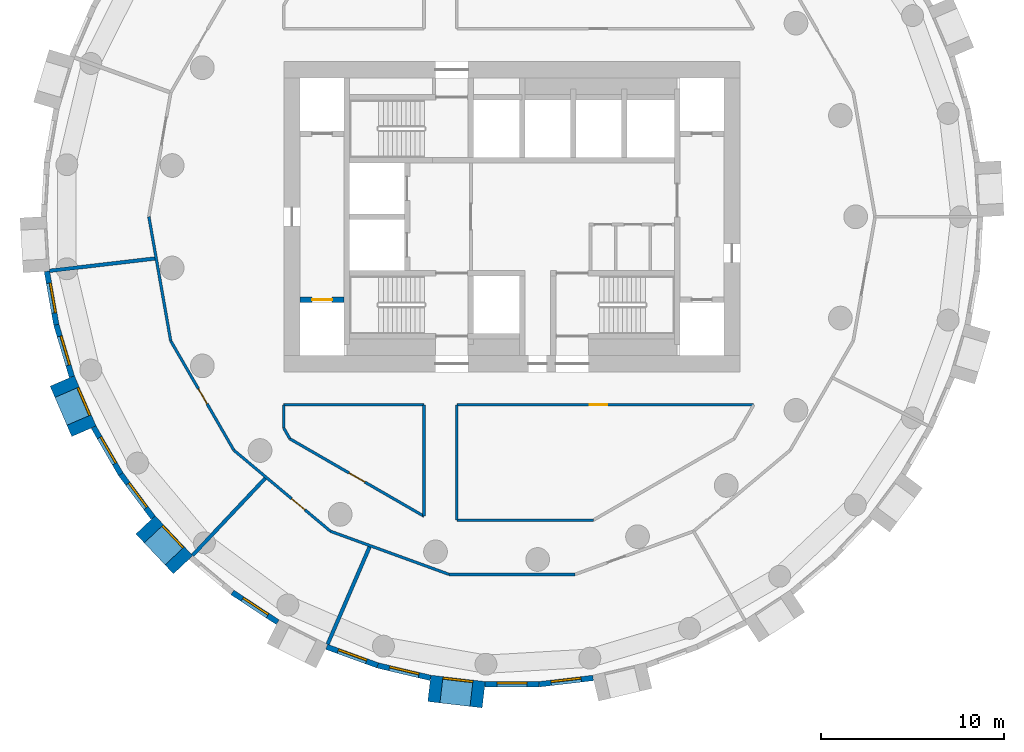
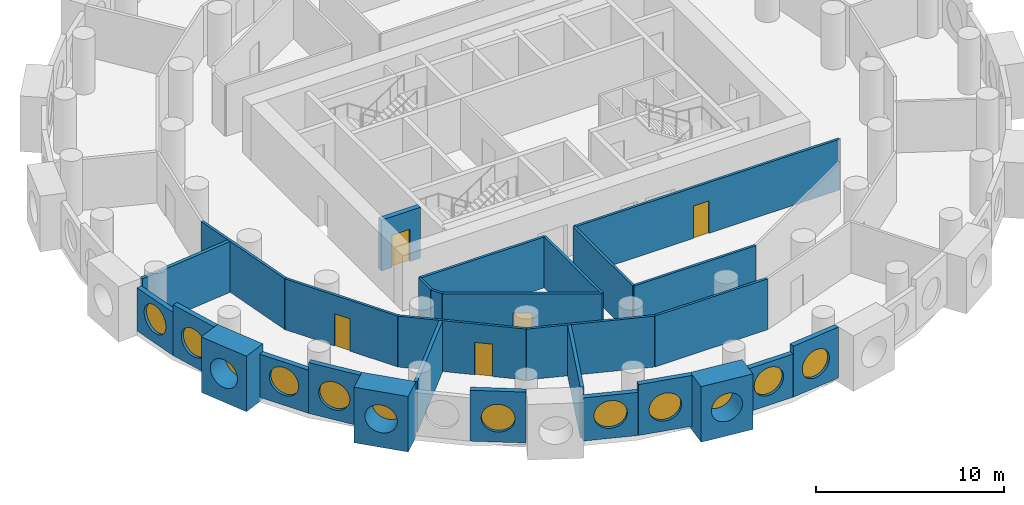
# One storey, part 2 of 9: 29 walls, 12 windows, 5 doors, 17 openings.
"""IFC4 building model written with IfcOpenShell, lengths in metres."""

from ifc_helpers import new_model, si_unit, direction, frame, frame_2d, origin, origin_2d, place, context, subcontext, project, spatial, rectangle, circle, extrude, material, layer, layer_set, type_object, element, fill, save


model = new_model("IFC4")

# Units and contexts
model_context = context("Model", 3, precision=1e-05, world=origin(), true_north=direction((0.0, 1.0)))
body_context = subcontext(model_context, "Body", "Model", "MODEL_VIEW")
ifc_project = project(units=[si_unit("LENGTHUNIT", "METRE"), si_unit("AREAUNIT", "SQUARE_METRE"), si_unit("VOLUMEUNIT", "CUBIC_METRE"), si_unit("PLANEANGLEUNIT", "RADIAN"), si_unit("MASSUNIT", "GRAM", prefix="KILO")], contexts=[model_context])

# Site, building, storey
site_placement = place(None, origin())
site = spatial("IfcSite", under=ifc_project, at=site_placement, CompositionType="ELEMENT")
building_placement = place(site_placement, origin())
building = spatial("IfcBuilding", under=site, at=building_placement, Name="Tracery Tower", CompositionType="ELEMENT")
storey_placement = place(building_placement, frame((0.0, 0.0, 154.800048828125)))
storey = spatial("IfcBuildingStorey", under=building, at=storey_placement, Name="L39", CompositionType="ELEMENT", Elevation=154.800048828125)

# Wall, opening, window
ifc_material_1 = material(Name="Precast concrete C50/60", Category="concrete")
ifc_layer_1 = layer(ifc_material_1, 1.449951171875)
ifc_layer_set_1 = layer_set([ifc_layer_1], Name="Deep-set bay unit 3000 x 3600, slab edge 300")
wall_type_1 = type_object("IfcWallType", Name="Deep-set bay unit 3000 x 3600, slab edge 300", PredefinedType="ELEMENTEDWALL", material=ifc_layer_set_1)
wall_1_placement = place(storey_placement, frame((-24.632080078125, -8.99169921875, -0.300048828125), z_axis=(0.0, 0.0, 1.0), x_axis=(0.396079003245, -0.918216435917, 0.0)))
wall_1 = element("IfcWall", 1, at=wall_1_placement, inside=storey, type_object=wall_type_1, Name="Deep-set bay unit 31 at L39", PredefinedType="ELEMENTEDWALL", context=body_context, shape_type="SweptSolid", body=[
    extrude(rectangle(XDim=3.0, YDim=1.449951171875, at=frame_2d((1.5, 0.0))), origin(), (0.0, 0.0, 1.0), 3.60009765625),
])
opening_1_placement = place(wall_1_placement, frame((1.5, 0.0, 1.85009765625)))
opening_1 = element("IfcOpeningElement", 2, at=opening_1_placement, cuts=wall_1, Name="Opening WN1", PredefinedType="OPENING", context=body_context, shape_type="SweptSolid", body=[
    extrude(circle(Radius=0.9000244140625, at=origin_2d()), frame((0.0, 0.73486328125, 0.0), z_axis=(0.0, -1.0, 0.0), x_axis=(1.0, 0.0, 0.0)), (0.0, 0.0, 1.0), 1.469970703125),
])
ifc_material_2 = material(Name="Aluminium frame with tinted double glazing", Category="aluminium")
window_type = type_object("IfcWindowType", Name="Round window 1800", PartitioningType="SINGLE_PANEL", PredefinedType="WINDOW", material=ifc_material_2)
window_1_placement = place(opening_1_placement, origin())
window_1 = element("IfcWindow", 3, at=window_1_placement, inside=storey, type_object=window_type, Name="Round window 31 at L39", OverallHeight=1.800048828125, OverallWidth=1.800048828125, PartitioningType="SINGLE_PANEL", PredefinedType="WINDOW", context=body_context, shape_type="SweptSolid", body=[
    extrude(circle(Radius=0.9000244140625, at=origin_2d()), frame((0.0, 0.69482421875, 0.0), z_axis=(0.0, -1.0, 0.0), x_axis=(1.0, 0.0, 0.0)), (0.0, 0.0, 1.0), 0.10009765625),
])
fill(opening_1, window_1)

wall_2_placement = place(storey_placement, frame((-20.0712890625, -16.8740234375, -0.300048828125), z_axis=(0.0, 0.0, 1.0), x_axis=(0.686217177108, -0.727396718334, 0.0)))
wall_2 = element("IfcWall", 4, at=wall_2_placement, inside=storey, type_object=wall_type_1, Name="Deep-set bay unit 34 at L39", PredefinedType="ELEMENTEDWALL", context=body_context, shape_type="SweptSolid", body=[
    extrude(rectangle(XDim=3.0, YDim=1.449951171875, at=frame_2d((1.5, 0.0))), origin(), (0.0, 0.0, 1.0), 3.60009765625),
])
opening_2_placement = place(wall_2_placement, frame((1.5, 0.0, 1.85009765625)))
opening_2 = element("IfcOpeningElement", 5, at=opening_2_placement, cuts=wall_2, Name="Opening WN1", PredefinedType="OPENING", context=body_context, shape_type="SweptSolid", body=[
    extrude(circle(Radius=0.9000244140625, at=origin_2d()), frame((0.0, 0.73486328125, 0.0), z_axis=(0.0, -1.0, 0.0), x_axis=(1.0, 0.0, 0.0)), (0.0, 0.0, 1.0), 1.469970703125),
])
window_2_placement = place(opening_2_placement, origin())
window_2 = element("IfcWindow", 6, at=window_2_placement, inside=storey, type_object=window_type, Name="Round window 34 at L39", OverallHeight=1.800048828125, OverallWidth=1.800048828125, PartitioningType="SINGLE_PANEL", PredefinedType="WINDOW", context=body_context, shape_type="SweptSolid", body=[
    extrude(circle(Radius=0.9000244140625, at=origin_2d()), frame((0.0, 0.69482421875, 0.0), z_axis=(0.0, -1.0, 0.0), x_axis=(1.0, 0.0, 0.0)), (0.0, 0.0, 1.0), 0.10009765625),
])
fill(opening_2, window_2)

wall_3_placement = place(storey_placement, frame((-4.529052734375, -25.827880859375, -0.300048828125), z_axis=(0.0, 0.0, 1.0), x_axis=(0.9932342274, -0.116128246006, 0.0)))
wall_3 = element("IfcWall", 7, at=wall_3_placement, inside=storey, type_object=wall_type_1, Name="Deep-set bay unit 40 at L39", PredefinedType="ELEMENTEDWALL", context=body_context, shape_type="SweptSolid", body=[
    extrude(rectangle(XDim=3.0, YDim=1.449951171875, at=frame_2d((1.5, 0.0))), origin(), (0.0, 0.0, 1.0), 3.60009765625),
])
opening_3_placement = place(wall_3_placement, frame((1.5, 0.0, 1.85009765625)))
opening_3 = element("IfcOpeningElement", 8, at=opening_3_placement, cuts=wall_3, Name="Opening WN1", PredefinedType="OPENING", context=body_context, shape_type="SweptSolid", body=[
    extrude(circle(Radius=0.9000244140625, at=origin_2d()), frame((0.0, 0.73486328125, 0.0), z_axis=(0.0, -1.0, 0.0), x_axis=(1.0, 0.0, 0.0)), (0.0, 0.0, 1.0), 1.469970703125),
])
window_3_placement = place(opening_3_placement, origin())
window_3 = element("IfcWindow", 9, at=window_3_placement, inside=storey, type_object=window_type, Name="Round window 40 at L39", OverallHeight=1.800048828125, OverallWidth=1.800048828125, PartitioningType="SINGLE_PANEL", PredefinedType="WINDOW", context=body_context, shape_type="SweptSolid", body=[
    extrude(circle(Radius=0.9000244140625, at=origin_2d()), frame((0.0, 0.69482421875, 0.0), z_axis=(0.0, -1.0, 0.0), x_axis=(1.0, 0.0, 0.0)), (0.0, 0.0, 1.0), 0.10009765625),
])
fill(opening_3, window_3)

ifc_material_3 = material(Name="Precast concrete C50/60", Category="concrete")
ifc_layer_2 = layer(ifc_material_3, 0.300048828125)
ifc_layer_set_2 = layer_set([ifc_layer_2], Name="Facade panel 3000 x 2800")
wall_type_2 = type_object("IfcWallType", Name="Facade panel 3000 x 2800", PredefinedType="SOLIDWALL", material=ifc_layer_set_2)
wall_4_placement = place(storey_placement, frame((-25.472412109375, -2.987060546875, 0.0), z_axis=(0.0, 0.0, 1.0), x_axis=(0.173686952598, -0.984800915159, 0.0)))
wall_4 = element("IfcWall", 10, at=wall_4_placement, inside=storey, type_object=wall_type_2, Name="Facade panel 29 at L39", PredefinedType="SOLIDWALL", context=body_context, shape_type="SweptSolid", body=[
    extrude(rectangle(XDim=2.972900390625, YDim=0.300048828125, at=frame_2d((1.486328125, 0.0))), origin(), (0.0, 0.0, 1.0), 2.800048828125),
])
opening_4_placement = place(wall_4_placement, frame((1.486328125, 0.0, 1.5498046875)))
opening_4 = element("IfcOpeningElement", 11, at=opening_4_placement, cuts=wall_4, Name="Opening WN1", PredefinedType="OPENING", context=body_context, shape_type="SweptSolid", body=[
    extrude(circle(Radius=0.9000244140625, at=origin_2d()), frame((0.0, 0.159912109375, 0.0), z_axis=(0.0, -1.0, 0.0), x_axis=(1.0, 0.0, 0.0)), (0.0, 0.0, 1.0), 0.320068359375),
])
window_4_placement = place(opening_4_placement, origin())
window_4 = element("IfcWindow", 12, at=window_4_placement, inside=storey, type_object=window_type, Name="Round window 29 at L39", OverallHeight=1.800048828125, OverallWidth=1.800048828125, PartitioningType="SINGLE_PANEL", PredefinedType="WINDOW", context=body_context, shape_type="SweptSolid", body=[
    extrude(circle(Radius=0.9000244140625, at=origin_2d()), frame((0.0, 0.1201171875, 0.0), z_axis=(0.0, -1.0, 0.0), x_axis=(1.0, 0.0, 0.0)), (0.0, 0.0, 1.0), 0.10009765625),
])
fill(opening_4, window_4)

wall_5_placement = place(storey_placement, frame((-22.91455078125, -11.518798828125, 0.0), z_axis=(0.0, 0.0, 1.0), x_axis=(0.499954672104, -0.866051572276, 0.0)))
wall_5 = element("IfcWall", 13, at=wall_5_placement, inside=storey, type_object=wall_type_2, Name="Facade panel 32 at L39", PredefinedType="SOLIDWALL", context=body_context, shape_type="SweptSolid", body=[
    extrude(rectangle(XDim=2.972900390625, YDim=0.300048828125, at=frame_2d((1.486328125, 0.0))), origin(), (0.0, 0.0, 1.0), 2.800048828125),
])
opening_5_placement = place(wall_5_placement, frame((1.486328125, 0.0, 1.5498046875)))
opening_5 = element("IfcOpeningElement", 14, at=opening_5_placement, cuts=wall_5, Name="Opening WN1", PredefinedType="OPENING", context=body_context, shape_type="SweptSolid", body=[
    extrude(circle(Radius=0.9000244140625, at=origin_2d()), frame((0.0, 0.159912109375, 0.0), z_axis=(0.0, -1.0, 0.0), x_axis=(1.0, 0.0, 0.0)), (0.0, 0.0, 1.0), 0.320068359375),
])
window_5_placement = place(opening_5_placement, origin())
window_5 = element("IfcWindow", 15, at=window_5_placement, inside=storey, type_object=window_type, Name="Round window 32 at L39", OverallHeight=1.800048828125, OverallWidth=1.800048828125, PartitioningType="SINGLE_PANEL", PredefinedType="WINDOW", context=body_context, shape_type="SweptSolid", body=[
    extrude(circle(Radius=0.9000244140625, at=origin_2d()), frame((0.0, 0.1201171875, 0.0), z_axis=(0.0, -1.0, 0.0), x_axis=(1.0, 0.0, 0.0)), (0.0, 0.0, 1.0), 0.10009765625),
])
fill(opening_5, window_5)

wall_6_placement = place(storey_placement, frame((-10.1494140625, -23.55322265625, 0.0), z_axis=(0.0, 0.0, 1.0), x_axis=(0.939690282133, -0.342026568652, 0.0)))
wall_6 = element("IfcWall", 16, at=wall_6_placement, inside=storey, type_object=wall_type_2, Name="Facade panel 38 at L39", PredefinedType="SOLIDWALL", context=body_context, shape_type="SweptSolid", body=[
    extrude(rectangle(XDim=2.972900390625, YDim=0.300048828125, at=frame_2d((1.486328125, 0.0))), origin(), (0.0, 0.0, 1.0), 2.800048828125),
])
opening_6_placement = place(wall_6_placement, frame((1.486328125, 0.0, 1.5498046875)))
opening_6 = element("IfcOpeningElement", 17, at=opening_6_placement, cuts=wall_6, Name="Opening WN1", PredefinedType="OPENING", context=body_context, shape_type="SweptSolid", body=[
    extrude(circle(Radius=0.9000244140625, at=origin_2d()), frame((0.0, 0.159912109375, 0.0), z_axis=(0.0, -1.0, 0.0), x_axis=(1.0, 0.0, 0.0)), (0.0, 0.0, 1.0), 0.320068359375),
])
window_6_placement = place(opening_6_placement, origin())
window_6 = element("IfcWindow", 18, at=window_6_placement, inside=storey, type_object=window_type, Name="Round window 38 at L39", OverallHeight=1.800048828125, OverallWidth=1.800048828125, PartitioningType="SINGLE_PANEL", PredefinedType="WINDOW", context=body_context, shape_type="SweptSolid", body=[
    extrude(circle(Radius=0.9000244140625, at=origin_2d()), frame((0.0, 0.1201171875, 0.0), z_axis=(0.0, -1.0, 0.0), x_axis=(1.0, 0.0, 0.0)), (0.0, 0.0, 1.0), 0.10009765625),
])
fill(opening_6, window_6)

wall_7_placement = place(storey_placement, frame((-1.481689453125, -25.60400390625, 0.0), z_axis=(0.0, 0.0, 1.0), x_axis=(1.0, 0.0, 0.0)))
wall_7 = element("IfcWall", 19, at=wall_7_placement, inside=storey, type_object=wall_type_2, Name="Facade panel 41 at L39", PredefinedType="SOLIDWALL", context=body_context, shape_type="SweptSolid", body=[
    extrude(rectangle(XDim=2.972900390625, YDim=0.300048828125, at=frame_2d((1.486328125, 0.0))), origin(), (0.0, 0.0, 1.0), 2.800048828125),
])
opening_7_placement = place(wall_7_placement, frame((1.486328125, 0.0, 1.5498046875)))
opening_7 = element("IfcOpeningElement", 20, at=opening_7_placement, cuts=wall_7, Name="Opening WN1", PredefinedType="OPENING", context=body_context, shape_type="SweptSolid", body=[
    extrude(circle(Radius=0.9000244140625, at=origin_2d()), frame((0.0, 0.159912109375, 0.0), z_axis=(0.0, -1.0, 0.0), x_axis=(1.0, 0.0, 0.0)), (0.0, 0.0, 1.0), 0.320068359375),
])
window_7_placement = place(opening_7_placement, origin())
window_7 = element("IfcWindow", 21, at=window_7_placement, inside=storey, type_object=window_type, Name="Round window 41 at L39", OverallHeight=1.800048828125, OverallWidth=1.800048828125, PartitioningType="SINGLE_PANEL", PredefinedType="WINDOW", context=body_context, shape_type="SweptSolid", body=[
    extrude(circle(Radius=0.9000244140625, at=origin_2d()), frame((0.0, 0.1201171875, 0.0), z_axis=(0.0, -1.0, 0.0), x_axis=(1.0, 0.0, 0.0)), (0.0, 0.0, 1.0), 0.10009765625),
])
fill(opening_7, window_7)

ifc_material_4 = material(Name="Precast concrete C50/60", Category="concrete")
ifc_layer_3 = layer(ifc_material_4, 0.300048828125)
ifc_layer_set_3 = layer_set([ifc_layer_3], Name="Facade panel 3000 x 3300")
wall_type_3 = type_object("IfcWallType", Name="Facade panel 3000 x 3300", PredefinedType="SOLIDWALL", material=ifc_layer_set_3)
wall_8_placement = place(storey_placement, frame((-24.9560546875, -5.914794921875, 0.0), z_axis=(0.0, 0.0, 1.0), x_axis=(0.286782750849, -0.957995643944, 0.0)))
wall_8 = element("IfcWall", 22, at=wall_8_placement, inside=storey, type_object=wall_type_3, Name="Facade panel 30 at L39", PredefinedType="SOLIDWALL", context=body_context, shape_type="SweptSolid", body=[
    extrude(rectangle(XDim=2.97265625, YDim=0.300048828125, at=frame_2d((1.486328125, 0.0))), origin(), (0.0, 0.0, 1.0), 3.300048828125),
])
opening_8_placement = place(wall_8_placement, frame((1.486328125, 0.0, 1.5498046875)))
opening_8 = element("IfcOpeningElement", 23, at=opening_8_placement, cuts=wall_8, Name="Opening WN1", PredefinedType="OPENING", context=body_context, shape_type="SweptSolid", body=[
    extrude(circle(Radius=0.9000244140625, at=origin_2d()), frame((0.0, 0.159912109375, 0.0), z_axis=(0.0, -1.0, 0.0), x_axis=(1.0, 0.0, 0.0)), (0.0, 0.0, 1.0), 0.320068359375),
])
window_8_placement = place(opening_8_placement, origin())
window_8 = element("IfcWindow", 24, at=window_8_placement, inside=storey, type_object=window_type, Name="Round window 30 at L39", OverallHeight=1.800048828125, OverallWidth=1.800048828125, PartitioningType="SINGLE_PANEL", PredefinedType="WINDOW", context=body_context, shape_type="SweptSolid", body=[
    extrude(circle(Radius=0.9000244140625, at=origin_2d()), frame((0.0, 0.1201171875, 0.0), z_axis=(0.0, -1.0, 0.0), x_axis=(1.0, 0.0, 0.0)), (0.0, 0.0, 1.0), 0.10009765625),
])
fill(opening_8, window_8)

wall_9_placement = place(storey_placement, frame((-21.42822265625, -14.093505859375, 0.0), z_axis=(0.0, 0.0, 1.0), x_axis=(0.597197580538, -0.80209416517, 0.0)))
wall_9 = element("IfcWall", 25, at=wall_9_placement, inside=storey, type_object=wall_type_3, Name="Facade panel 33 at L39", PredefinedType="SOLIDWALL", context=body_context, shape_type="SweptSolid", body=[
    extrude(rectangle(XDim=2.972900390625, YDim=0.300048828125, at=frame_2d((1.486328125, 0.0))), origin(), (0.0, 0.0, 1.0), 3.300048828125),
])
opening_9_placement = place(wall_9_placement, frame((1.486328125, 0.0, 1.5498046875)))
opening_9 = element("IfcOpeningElement", 26, at=opening_9_placement, cuts=wall_9, Name="Opening WN1", PredefinedType="OPENING", context=body_context, shape_type="SweptSolid", body=[
    extrude(circle(Radius=0.9000244140625, at=origin_2d()), frame((0.0, 0.159912109375, 0.0), z_axis=(0.0, -1.0, 0.0), x_axis=(1.0, 0.0, 0.0)), (0.0, 0.0, 1.0), 0.320068359375),
])
window_9_placement = place(opening_9_placement, origin())
window_9 = element("IfcWindow", 27, at=window_9_placement, inside=storey, type_object=window_type, Name="Round window 33 at L39", OverallHeight=1.800048828125, OverallWidth=1.800048828125, PartitioningType="SINGLE_PANEL", PredefinedType="WINDOW", context=body_context, shape_type="SweptSolid", body=[
    extrude(circle(Radius=0.9000244140625, at=origin_2d()), frame((0.0, 0.1201171875, 0.0), z_axis=(0.0, -1.0, 0.0), x_axis=(1.0, 0.0, 0.0)), (0.0, 0.0, 1.0), 0.10009765625),
])
fill(opening_9, window_9)

wall_10_placement = place(storey_placement, frame((-15.315673828125, -20.572509765625, 0.0), z_axis=(0.0, 0.0, 1.0), x_axis=(0.835508361394, -0.54947773207, 0.0)))
wall_10 = element("IfcWall", 28, at=wall_10_placement, inside=storey, type_object=wall_type_3, Name="Facade panel 36 at L39", PredefinedType="SOLIDWALL", context=body_context, shape_type="SweptSolid", body=[
    extrude(rectangle(XDim=2.972900390625, YDim=0.300048828125, at=frame_2d((1.486328125, 0.0))), origin(), (0.0, 0.0, 1.0), 3.300048828125),
])
opening_10_placement = place(wall_10_placement, frame((1.486328125, 0.0, 1.5498046875)))
opening_10 = element("IfcOpeningElement", 29, at=opening_10_placement, cuts=wall_10, Name="Opening WN1", PredefinedType="OPENING", context=body_context, shape_type="SweptSolid", body=[
    extrude(circle(Radius=0.9000244140625, at=origin_2d()), frame((0.0, 0.159912109375, 0.0), z_axis=(0.0, -1.0, 0.0), x_axis=(1.0, 0.0, 0.0)), (0.0, 0.0, 1.0), 0.320068359375),
])
window_10_placement = place(opening_10_placement, origin())
window_10 = element("IfcWindow", 30, at=window_10_placement, inside=storey, type_object=window_type, Name="Round window 36 at L39", OverallHeight=1.800048828125, OverallWidth=1.800048828125, PartitioningType="SINGLE_PANEL", PredefinedType="WINDOW", context=body_context, shape_type="SweptSolid", body=[
    extrude(circle(Radius=0.9000244140625, at=origin_2d()), frame((0.0, 0.1201171875, 0.0), z_axis=(0.0, -1.0, 0.0), x_axis=(1.0, 0.0, 0.0)), (0.0, 0.0, 1.0), 0.10009765625),
])
fill(opening_10, window_10)

wall_11_placement = place(storey_placement, frame((-7.355712890625, -24.570068359375, 0.0), z_axis=(0.0, 0.0, 1.0), x_axis=(0.973045378923, -0.230613725862, 0.0)))
wall_11 = element("IfcWall", 31, at=wall_11_placement, inside=storey, type_object=wall_type_3, Name="Facade panel 39 at L39", PredefinedType="SOLIDWALL", context=body_context, shape_type="SweptSolid", body=[
    extrude(rectangle(XDim=2.97265625, YDim=0.300048828125, at=frame_2d((1.486328125, 0.0))), origin(), (0.0, 0.0, 1.0), 3.300048828125),
])
opening_11_placement = place(wall_11_placement, frame((1.486328125, 0.0, 1.5498046875)))
opening_11 = element("IfcOpeningElement", 32, at=opening_11_placement, cuts=wall_11, Name="Opening WN1", PredefinedType="OPENING", context=body_context, shape_type="SweptSolid", body=[
    extrude(circle(Radius=0.9000244140625, at=origin_2d()), frame((0.0, 0.159912109375, 0.0), z_axis=(0.0, -1.0, 0.0), x_axis=(1.0, 0.0, 0.0)), (0.0, 0.0, 1.0), 0.320068359375),
])
window_11_placement = place(opening_11_placement, origin())
window_11 = element("IfcWindow", 33, at=window_11_placement, inside=storey, type_object=window_type, Name="Round window 39 at L39", OverallHeight=1.800048828125, OverallWidth=1.800048828125, PartitioningType="SINGLE_PANEL", PredefinedType="WINDOW", context=body_context, shape_type="SweptSolid", body=[
    extrude(circle(Radius=0.9000244140625, at=origin_2d()), frame((0.0, 0.1201171875, 0.0), z_axis=(0.0, -1.0, 0.0), x_axis=(1.0, 0.0, 0.0)), (0.0, 0.0, 1.0), 0.10009765625),
])
fill(opening_11, window_11)

wall_12_placement = place(storey_placement, frame((1.4912109375, -25.60400390625, 0.0), z_axis=(0.0, 0.0, 1.0), x_axis=(0.993245010522, 0.1160359818, 0.0)))
wall_12 = element("IfcWall", 34, at=wall_12_placement, inside=storey, type_object=wall_type_3, Name="Facade panel 42 at L39", PredefinedType="SOLIDWALL", context=body_context, shape_type="SweptSolid", body=[
    extrude(rectangle(XDim=2.972900390625, YDim=0.300048828125, at=frame_2d((1.486328125, 0.0))), origin(), (0.0, 0.0, 1.0), 3.300048828125),
])
opening_12_placement = place(wall_12_placement, frame((1.486328125, 0.0, 1.5498046875)))
opening_12 = element("IfcOpeningElement", 35, at=opening_12_placement, cuts=wall_12, Name="Opening WN1", PredefinedType="OPENING", context=body_context, shape_type="SweptSolid", body=[
    extrude(circle(Radius=0.9000244140625, at=origin_2d()), frame((0.0, 0.159912109375, 0.0), z_axis=(0.0, -1.0, 0.0), x_axis=(1.0, 0.0, 0.0)), (0.0, 0.0, 1.0), 0.320068359375),
])
window_12_placement = place(opening_12_placement, origin())
window_12 = element("IfcWindow", 36, at=window_12_placement, inside=storey, type_object=window_type, Name="Round window 42 at L39", OverallHeight=1.800048828125, OverallWidth=1.800048828125, PartitioningType="SINGLE_PANEL", PredefinedType="WINDOW", context=body_context, shape_type="SweptSolid", body=[
    extrude(circle(Radius=0.9000244140625, at=origin_2d()), frame((0.0, 0.1201171875, 0.0), z_axis=(0.0, -1.0, 0.0), x_axis=(1.0, 0.0, 0.0)), (0.0, 0.0, 1.0), 0.10009765625),
])
fill(opening_12, window_12)

# Wall
ifc_material_5 = material(Name="Plasterboard on steel studs", Category="steel")
ifc_layer_4 = layer(ifc_material_5, 0.14990234375)
ifc_layer_set_4 = layer_set([ifc_layer_4], Name="Partition 150 corridor wall")
wall_type_4 = type_object("IfcWallType", Name="Partition 150 corridor wall", PredefinedType="PARTITIONING", material=ifc_layer_set_4)
wall_13_placement = place(storey_placement, frame((-12.50390625, -10.300048828125, 0.0), z_axis=(0.0, 0.0, 1.0), x_axis=(1.0, 0.0, 0.0)))
element("IfcWall", 37, at=wall_13_placement, inside=storey, type_object=wall_type_4, Name="Corridor wall RB3-003", PredefinedType="PARTITIONING", context=body_context, shape_type="SweptSolid", body=[
    extrude(rectangle(XDim=7.68701171875, YDim=0.14990234375, at=frame_2d((3.843505859375, 0.0))), origin(), (0.0, 0.0, 1.0), 3.300048828125),
])

# Wall, opening, door
wall_14_placement = place(storey_placement, frame((-3.02490234375, -10.300048828125, 0.0), z_axis=(0.0, 0.0, 1.0), x_axis=(1.0, 0.0, 0.0)))
wall_14 = element("IfcWall", 38, at=wall_14_placement, inside=storey, type_object=wall_type_4, Name="Corridor wall RB3-004", PredefinedType="PARTITIONING", context=body_context, shape_type="SweptSolid", body=[
    extrude(rectangle(XDim=16.261962890625, YDim=0.14990234375, at=frame_2d((8.130859375, 0.0))), origin(), (0.0, 0.0, 1.0), 3.300048828125),
])
opening_13_placement = place(wall_14_placement, frame((7.287109375, 0.0, 0.0)))
opening_13 = element("IfcOpeningElement", 39, at=opening_13_placement, cuts=wall_14, Name="Opening RB3-04", PredefinedType="OPENING", context=body_context, shape_type="SweptSolid", body=[
    extrude(rectangle(XDim=0.949951171875, YDim=2.10009765625, at=frame_2d((0.47509765625, 1.050048828125))), frame((0.0, 0.074951171875, 0.0), z_axis=(0.0, -1.0, 0.0), x_axis=(1.0, 0.0, 0.0)), (0.0, 0.0, 1.0), 0.14990234375),
])
ifc_material_6 = material(Name="Timber door leaf", Category="wood")
door_type_1 = type_object("IfcDoorType", Name="Door store 950", OperationType="NOTDEFINED", PredefinedType="DOOR", material=ifc_material_6)
door_1_placement = place(opening_13_placement, origin())
door_1 = element("IfcDoor", 40, at=door_1_placement, inside=storey, type_object=door_type_1, Name="Store door RB3-04", OperationType="SINGLE_SWING_RIGHT", OverallHeight=2.10009765625, OverallWidth=0.949951171875, PredefinedType="DOOR", context=body_context, shape_type="SweptSolid", body=[
    extrude(rectangle(XDim=0.949951171875, YDim=2.10009765625, at=frame_2d((0.47509765625, 1.050048828125))), frame((0.0, 0.02490234375, 0.0), z_axis=(0.0, -1.0, 0.0), x_axis=(1.0, 0.0, 0.0)), (0.0, 0.0, 1.0), 0.050048828125),
])
fill(opening_13, door_1)

# Walls
wall_15_placement = place(storey_placement, frame((-12.5, -11.576904296875, 0.0), z_axis=(0.0, 0.0, 1.0), x_axis=(0.0, 1.0, 0.0)))
element("IfcWall", 41, at=wall_15_placement, inside=storey, type_object=wall_type_4, Name="Corridor wall RB3-024", PredefinedType="PARTITIONING", context=body_context, shape_type="SweptSolid", body=[
    extrude(rectangle(XDim=1.27685546875, YDim=0.14990234375, at=frame_2d((0.638427734375, 0.0))), origin(), (0.0, 0.0, 1.0), 3.300048828125),
])
wall_16_placement = place(storey_placement, frame((-12.5, -11.576904296875, 0.0), z_axis=(0.0, 0.0, 1.0), x_axis=(0.500024767483, -0.866011103799, 0.0)))
element("IfcWall", 42, at=wall_16_placement, inside=storey, type_object=wall_type_4, Name="Corridor wall RB3-025", PredefinedType="PARTITIONING", context=body_context, shape_type="SweptSolid", body=[
    extrude(rectangle(XDim=0.67578125, YDim=0.14990234375, at=frame_2d((0.337890625, 0.0))), origin(), (0.0, 0.0, 1.0), 3.300048828125),
])
wall_17_placement = place(storey_placement, frame((-19.887939453125, 0.0, 0.0), z_axis=(0.0, 0.0, 1.0), x_axis=(0.173482860149, -0.984836888644, 0.0)))
element("IfcWall", 43, at=wall_17_placement, inside=storey, type_object=wall_type_4, Name="Corridor wall RB3-027", PredefinedType="PARTITIONING", context=body_context, shape_type="SweptSolid", body=[
    extrude(rectangle(XDim=6.906982421875, YDim=0.14990234375, at=frame_2d((3.45361328125, 0.0))), origin(), (0.0, 0.0, 1.0), 3.300048828125),
])

# Wall, opening, door
wall_18_placement = place(storey_placement, frame((-15.235107421875, -12.783935546875, 0.0), z_axis=(0.0, 0.0, 1.0), x_axis=(0.766192104565, -0.642611592567, 0.0)))
wall_18 = element("IfcWall", 44, at=wall_18_placement, inside=storey, type_object=wall_type_4, Name="Corridor wall RB3-029", PredefinedType="PARTITIONING", context=body_context, shape_type="SweptSolid", body=[
    extrude(rectangle(XDim=6.906494140625, YDim=0.14990234375, at=frame_2d((3.453125, 0.0))), origin(), (0.0, 0.0, 1.0), 3.300048828125),
])
opening_14_placement = place(wall_18_placement, frame((4.132568359375, 0.0, 0.0)))
opening_14 = element("IfcOpeningElement", 45, at=opening_14_placement, cuts=wall_18, Name="Opening RB3-16", PredefinedType="OPENING", context=body_context, shape_type="SweptSolid", body=[
    extrude(rectangle(XDim=0.949951171875, YDim=2.10009765625, at=frame_2d((0.47509765625, 1.050048828125))), frame((0.0, 0.074951171875, 0.0), z_axis=(0.0, -1.0, 0.0), x_axis=(1.0, 0.0, 0.0)), (0.0, 0.0, 1.0), 0.14990234375),
])
door_2_placement = place(opening_14_placement, origin())
door_2 = element("IfcDoor", 46, at=door_2_placement, inside=storey, type_object=door_type_1, Name="Store door RB3-16", OperationType="SINGLE_SWING_LEFT", OverallHeight=2.10009765625, OverallWidth=0.949951171875, PredefinedType="DOOR", context=body_context, shape_type="SweptSolid", body=[
    extrude(rectangle(XDim=0.949951171875, YDim=2.10009765625, at=frame_2d((0.47509765625, 1.050048828125))), frame((0.0, 0.02490234375, 0.0), z_axis=(0.0, -1.0, 0.0), x_axis=(1.0, 0.0, 0.0)), (0.0, 0.0, 1.0), 0.050048828125),
])
fill(opening_14, door_2)

wall_19_placement = place(storey_placement, frame((-18.68798828125, -6.802001953125, 0.0), z_axis=(0.0, 0.0, 1.0), x_axis=(0.499914202267, -0.866074933462, 0.0)))
wall_19 = element("IfcWall", 47, at=wall_19_placement, inside=storey, type_object=wall_type_4, Name="Corridor wall RB3-030", PredefinedType="PARTITIONING", context=body_context, shape_type="SweptSolid", body=[
    extrude(rectangle(XDim=6.906982421875, YDim=0.14990234375, at=frame_2d((3.45361328125, 0.0))), origin(), (0.0, 0.0, 1.0), 3.300048828125),
])
opening_15_placement = place(wall_19_placement, frame((3.028076171875, 0.0, 0.0)))
opening_15 = element("IfcOpeningElement", 48, at=opening_15_placement, cuts=wall_19, Name="Opening RB3-15", PredefinedType="OPENING", context=body_context, shape_type="SweptSolid", body=[
    extrude(rectangle(XDim=0.949951171875, YDim=2.10009765625, at=frame_2d((0.47509765625, 1.050048828125))), frame((0.0, 0.074951171875, 0.0), z_axis=(0.0, -1.0, 0.0), x_axis=(1.0, 0.0, 0.0)), (0.0, 0.0, 1.0), 0.14990234375),
])
door_3_placement = place(opening_15_placement, origin())
door_3 = element("IfcDoor", 49, at=door_3_placement, inside=storey, type_object=door_type_1, Name="Store door RB3-15", OperationType="SINGLE_SWING_LEFT", OverallHeight=2.10009765625, OverallWidth=0.949951171875, PredefinedType="DOOR", context=body_context, shape_type="SweptSolid", body=[
    extrude(rectangle(XDim=0.949951171875, YDim=2.10009765625, at=frame_2d((0.47509765625, 1.050048828125))), frame((0.0, 0.02490234375, 0.0), z_axis=(0.0, -1.0, 0.0), x_axis=(1.0, 0.0, 0.0)), (0.0, 0.0, 1.0), 0.050048828125),
])
fill(opening_15, door_3)

wall_20_placement = place(storey_placement, frame((-12.162109375, -12.162109375, 0.0), z_axis=(0.0, 0.0, 1.0), x_axis=(0.866004766557, -0.500035743023, 0.0)))
wall_20 = element("IfcWall", 50, at=wall_20_placement, inside=storey, type_object=wall_type_4, Name="Corridor wall RB3-031", PredefinedType="PARTITIONING", context=body_context, shape_type="SweptSolid", body=[
    extrude(rectangle(XDim=8.47705078125, YDim=0.14990234375, at=frame_2d((4.238525390625, 0.0))), origin(), (0.0, 0.0, 1.0), 3.300048828125),
])
opening_16_placement = place(wall_20_placement, frame((3.738037109375, 0.0, 0.0)))
opening_16 = element("IfcOpeningElement", 51, at=opening_16_placement, cuts=wall_20, Name="Opening RB3-03", PredefinedType="OPENING", context=body_context, shape_type="SweptSolid", body=[
    extrude(rectangle(XDim=1.0, YDim=2.0400390625, at=frame_2d((0.5, 1.02001953125))), frame((0.0, 0.074951171875, 0.0), z_axis=(0.0, -1.0, 0.0), x_axis=(1.0, 0.0, 0.0)), (0.0, 0.0, 1.0), 0.14990234375),
])
ifc_material_7 = material(Name="Timber door leaf", Category="wood")
door_type_2 = type_object("IfcDoorType", Name="Door communal room 1000", OperationType="NOTDEFINED", PredefinedType="DOOR", material=ifc_material_7)
door_4_placement = place(opening_16_placement, origin())
door_4 = element("IfcDoor", 52, at=door_4_placement, inside=storey, type_object=door_type_2, Name="Communal room door RB3-03", OperationType="SINGLE_SWING_LEFT", OverallHeight=2.0400390625, OverallWidth=1.0, PredefinedType="DOOR", context=body_context, shape_type="SweptSolid", body=[
    extrude(rectangle(XDim=1.0, YDim=2.0400390625, at=frame_2d((0.5, 1.02001953125))), frame((0.0, 0.02490234375, 0.0), z_axis=(0.0, -1.0, 0.0), x_axis=(1.0, 0.0, 0.0)), (0.0, 0.0, 1.0), 0.050048828125),
])
fill(opening_16, door_4)

# Walls
wall_21_placement = place(storey_placement, frame((-4.821044921875, -16.40087890625, 0.0), z_axis=(0.0, 0.0, 1.0), x_axis=(0.0, 1.0, 0.0)))
element("IfcWall", 53, at=wall_21_placement, inside=storey, type_object=wall_type_4, Name="Corridor wall RB3-032", PredefinedType="PARTITIONING", context=body_context, shape_type="SweptSolid", body=[
    extrude(rectangle(XDim=6.100830078125, YDim=0.14990234375, at=frame_2d((3.05029296875, 0.0))), origin(), (0.0, 0.0, 1.0), 3.300048828125),
])
wall_22_placement = place(storey_placement, frame((-3.02099609375, -16.614013671875, 0.0), z_axis=(0.0, 0.0, 1.0), x_axis=(0.0, 1.0, 0.0)))
element("IfcWall", 54, at=wall_22_placement, inside=storey, type_object=wall_type_4, Name="Corridor wall RB3-033", PredefinedType="PARTITIONING", context=body_context, shape_type="SweptSolid", body=[
    extrude(rectangle(XDim=6.31396484375, YDim=0.14990234375, at=frame_2d((3.156982421875, 0.0))), origin(), (0.0, 0.0, 1.0), 3.300048828125),
])
wall_23_placement = place(storey_placement, frame((-3.02099609375, -16.614013671875, 0.0), z_axis=(0.0, 0.0, 1.0), x_axis=(1.0, 0.0, 0.0)))
element("IfcWall", 55, at=wall_23_placement, inside=storey, type_object=wall_type_4, Name="Corridor wall RB3-034", PredefinedType="PARTITIONING", context=body_context, shape_type="SweptSolid", body=[
    extrude(rectangle(XDim=7.472900390625, YDim=0.14990234375, at=frame_2d((3.736328125, 0.0))), origin(), (0.0, 0.0, 1.0), 3.300048828125),
])
wall_24_placement = place(storey_placement, frame((-9.944091796875, -17.222900390625, 0.0), z_axis=(0.0, 0.0, 1.0), x_axis=(0.939737689664, -0.341896292208, 0.0)))
element("IfcWall", 56, at=wall_24_placement, inside=storey, type_object=wall_type_4, Name="Corridor wall RB3-036", PredefinedType="PARTITIONING", context=body_context, shape_type="SweptSolid", body=[
    extrude(rectangle(XDim=6.907958984375, YDim=0.14990234375, at=frame_2d((3.4541015625, 0.0))), origin(), (0.0, 0.0, 1.0), 3.300048828125),
])
wall_25_placement = place(storey_placement, frame((-3.452880859375, -19.5859375, 0.0), z_axis=(0.0, 0.0, 1.0), x_axis=(1.0, 0.0, 0.0)))
element("IfcWall", 57, at=wall_25_placement, inside=storey, type_object=wall_type_4, Name="Corridor wall RB3-038", PredefinedType="PARTITIONING", context=body_context, shape_type="SweptSolid", body=[
    extrude(rectangle(XDim=6.90576171875, YDim=0.14990234375, at=frame_2d((3.452880859375, 0.0))), origin(), (0.0, 0.0, 1.0), 3.300048828125),
])
ifc_material_8 = material(Name="Plasterboard on steel studs", Category="steel")
ifc_layer_5 = layer(ifc_material_8, 0.199951171875)
ifc_layer_set_5 = layer_set([ifc_layer_5], Name="Partition 200 compartment wall")
wall_type_5 = type_object("IfcWallType", Name="Partition 200 compartment wall", PredefinedType="PARTITIONING", material=ifc_layer_set_5)
for number, where, z_axis, x_axis, name in (
    (58, (-25.324951171875, -2.9599609375, 0.0), (0.0, 0.0, 1.0), (0.993249747924, 0.115995423397, 0.0), "Compartment wall RB3-053"),
    (59, (-17.4970703125, -18.5458984375, 0.0), (0.0, 0.0, 1.0), (0.6862502776, 0.72736549031, 0.0), "Compartment wall RB3-054"),
):
    element("IfcWall", number, at=place(storey_placement, frame(where, z_axis=z_axis, x_axis=x_axis)), inside=storey, type_object=wall_type_5, Name=name, PredefinedType="PARTITIONING", context=body_context, shape_type="SweptSolid", body=[
        extrude(rectangle(XDim=5.878662109375, YDim=0.199951171875, at=frame_2d((2.939453125, 0.0))), origin(), (0.0, 0.0, 1.0), 3.300048828125),
    ])
wall_26_placement = place(storey_placement, frame((-10.09912109375, -23.412109375, 0.0), z_axis=(0.0, 0.0, 1.0), x_axis=(0.39601833725, 0.918242602236, 0.0)))
element("IfcWall", 60, at=wall_26_placement, inside=storey, type_object=wall_type_5, Name="Compartment wall RB3-055", PredefinedType="PARTITIONING", context=body_context, shape_type="SweptSolid", body=[
    extrude(rectangle(XDim=5.87890625, YDim=0.199951171875, at=frame_2d((2.939453125, 0.0))), origin(), (0.0, 0.0, 1.0), 3.300048828125),
])

# Wall, opening, door
ifc_material_9 = material(Name="Concrete C50/60", Category="concrete")
ifc_layer_6 = layer(ifc_material_9, 0.300048828125)
ifc_layer_set_6 = layer_set([ifc_layer_6], Name="Shaft wall 300 C50")
wall_type_6 = type_object("IfcWallType", Name="Shaft wall 300 C50", PredefinedType="SOLIDWALL", material=ifc_layer_set_6)
wall_27_placement = place(storey_placement, frame((-11.60009765625, -4.550048828125, 0.0), z_axis=(0.0, 0.0, 1.0), x_axis=(1.0, 0.0, 0.0)))
wall_27 = element("IfcWall", 61, at=wall_27_placement, inside=storey, type_object=wall_type_6, Name="L39 MR W -4.55", PredefinedType="SOLIDWALL", context=body_context, shape_type="SweptSolid", body=[
    extrude(rectangle(XDim=2.400146484375, YDim=0.300048828125, at=frame_2d((1.2001953125, 0.0))), origin(), (0.0, 0.0, 1.0), 3.300048828125),
])
opening_17_placement = place(wall_27_placement, frame((0.64990234375, 0.0, 0.0)))
opening_17 = element("IfcOpeningElement", 62, at=opening_17_placement, cuts=wall_27, Name="Opening KD50", PredefinedType="OPENING", context=body_context, shape_type="SweptSolid", body=[
    extrude(rectangle(XDim=1.10009765625, YDim=2.10009765625, at=frame_2d((0.550048828125, 1.050048828125))), frame((0.0, 0.14990234375, 0.0), z_axis=(0.0, -1.0, 0.0), x_axis=(1.0, 0.0, 0.0)), (0.0, 0.0, 1.0), 0.300048828125),
])
ifc_material_10 = material(Name="Steel fire door", Category="steel")
door_type_3 = type_object("IfcDoorType", Name="Landing door 1100", OperationType="NOTDEFINED", PredefinedType="DOOR", material=ifc_material_10)
door_5_placement = place(opening_17_placement, origin())
door_5 = element("IfcDoor", 63, at=door_5_placement, inside=storey, type_object=door_type_3, Name="Landing door MR1", OperationType="SLIDING_TO_RIGHT", OverallHeight=2.10009765625, OverallWidth=1.10009765625, PredefinedType="DOOR", context=body_context, shape_type="SweptSolid", body=[
    extrude(rectangle(XDim=1.10009765625, YDim=2.10009765625, at=frame_2d((0.550048828125, 1.050048828125))), frame((0.0, 0.02490234375, 0.0), z_axis=(0.0, -1.0, 0.0), x_axis=(1.0, 0.0, 0.0)), (0.0, 0.0, 1.0), 0.050048828125),
])
fill(opening_17, door_5)

save(model, "model.ifc")
